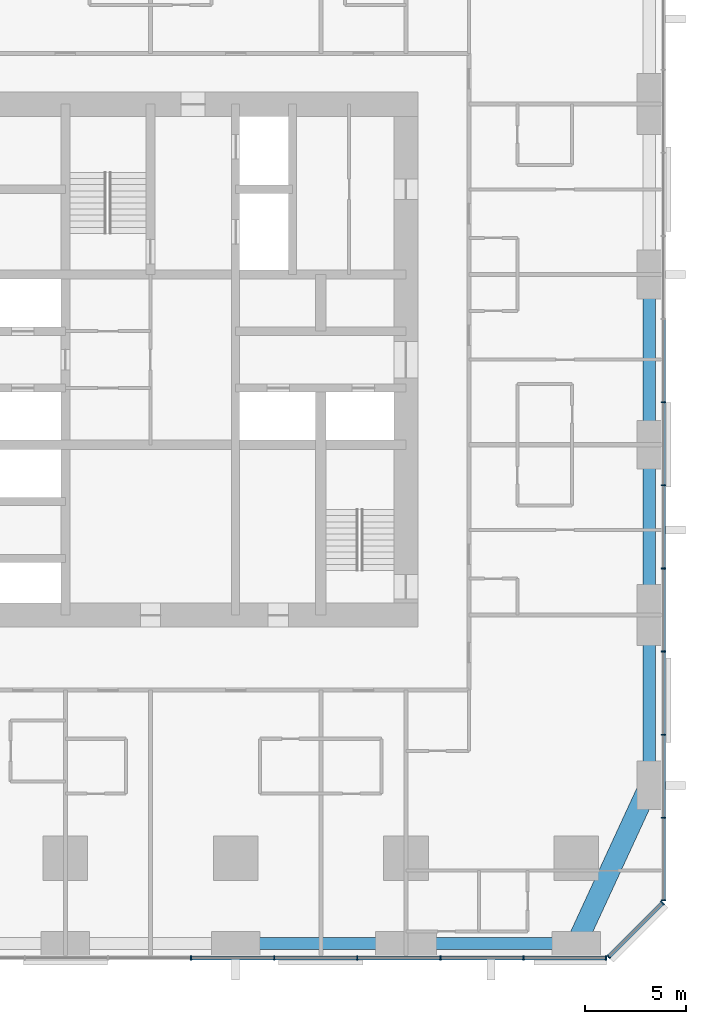
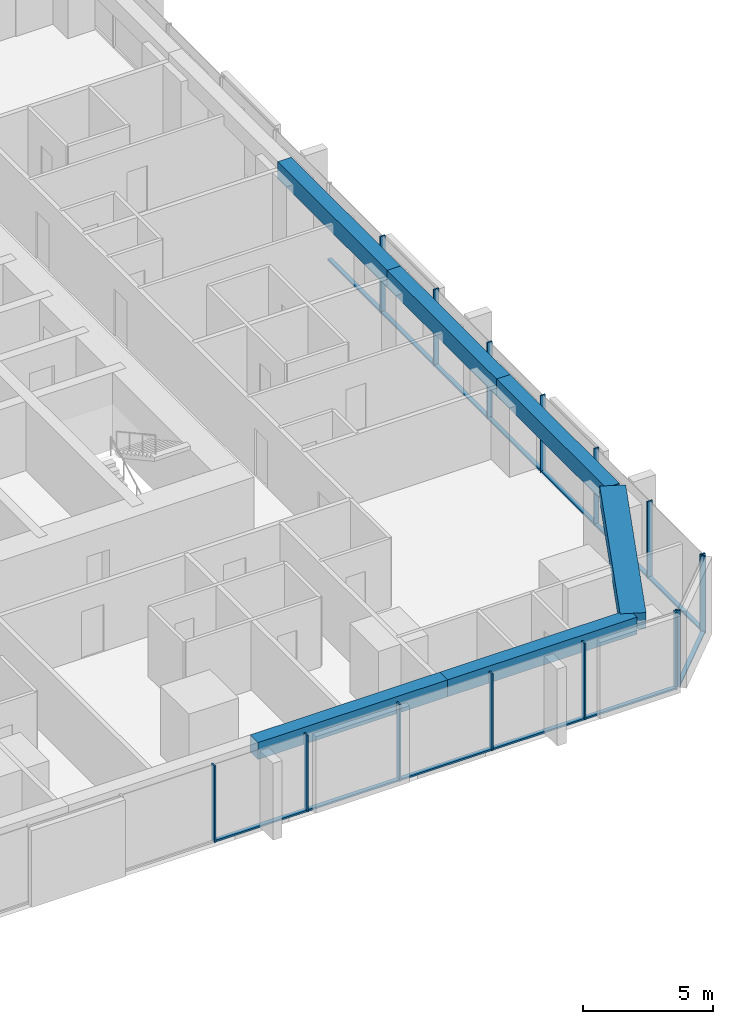
# One storey, part 4 of 13: 28 members, 6 beams, 3 elements without a shape of their own.
"""IFC4 building model written with IfcOpenShell, lengths in metres."""

from ifc_helpers import new_model, si_unit, direction, frame, origin, origin_2d, place, context, subcontext, project, spatial, rectangle, extrude, material, material_profile, profile_set, type_object, element, aggregate, save


model = new_model("IFC4")

# Units and contexts
model_context = context("Model", 3, precision=1e-05, world=origin(), true_north=direction((0.0, 1.0)))
body_context = subcontext(model_context, "Body", "Model", "MODEL_VIEW")
ifc_project = project(units=[si_unit("LENGTHUNIT", "METRE"), si_unit("AREAUNIT", "SQUARE_METRE"), si_unit("VOLUMEUNIT", "CUBIC_METRE"), si_unit("PLANEANGLEUNIT", "RADIAN"), si_unit("MASSUNIT", "GRAM", prefix="KILO")], contexts=[model_context])

# Site, building, storey
site_placement = place(None, origin())
site = spatial("IfcSite", under=ifc_project, at=site_placement, CompositionType="ELEMENT")
building_placement = place(site_placement, origin())
building = spatial("IfcBuilding", under=site, at=building_placement, Name="Dunama Terrace Hotel", CompositionType="ELEMENT")
storey_placement = place(building_placement, frame((0.0, 0.0, 144.0)))
storey = spatial("IfcBuildingStorey", under=building, at=storey_placement, Name="L37", CompositionType="ELEMENT", Elevation=144.0)

# Curtain wall, members
ifc_material_1 = material(Name="Aluminium curtain wall system", Category="aluminium")
curtain_wall_type = type_object("IfcCurtainWallType", Name="Unitised fritted glass wall CW-B", PredefinedType="NOTDEFINED", material=ifc_material_1)
curtain_wall_1_placement = place(storey_placement, origin())
curtain_wall_1 = element("IfcCurtainWall", 1, at=curtain_wall_1_placement, inside=storey, type_object=curtain_wall_type, Name="Unitised fritted glass wall CW-B L37", PredefinedType="NOTDEFINED")
ifc_material_2 = material(Name="Aluminium mullion", Category="aluminium")
ifc_material_profile_1 = material_profile(ifc_material_2, rectangle(XDim=0.06494140625, YDim=0.219970703125, at=origin_2d()), Name="CWB MULLION 65X220")
ifc_profile_set_1 = profile_set([ifc_material_profile_1], Name="Aluminium mullion")
member_type_1 = type_object("IfcMemberType", Name="CWB mullion 65x220", PredefinedType="MULLION", material=ifc_profile_set_1)
member_1_placement = place(storey_placement, frame((31.39990234375, -0.110107421875, 0.0), z_axis=(0.0, 0.0, 1.0), x_axis=(1.0, 0.0, 0.0)))
member_1 = element("IfcMember", 2, at=member_1_placement, type_object=member_type_1, Name="CWB mullion", PredefinedType="MULLION", context=body_context, shape_type="SweptSolid", body=[
    extrude(rectangle(XDim=0.06494140625, YDim=0.219970703125, at=origin_2d()), origin(), (0.0, 0.0, 1.0), 3.60009765625),
])
member_2_placement = place(storey_placement, frame((35.5, -0.110107421875, 0.0), z_axis=(0.0, 0.0, 1.0), x_axis=(1.0, 0.0, 0.0)))
member_2 = element("IfcMember", 3, at=member_2_placement, type_object=member_type_1, Name="CWB mullion", PredefinedType="MULLION", context=body_context, shape_type="SweptSolid", body=[
    extrude(rectangle(XDim=0.06494140625, YDim=0.219970703125, at=origin_2d()), origin(), (0.0, 0.0, 1.0), 3.60009765625),
])
member_3_placement = place(storey_placement, frame((39.60009765625, -0.110107421875, 0.0), z_axis=(0.0, 0.0, 1.0), x_axis=(1.0, 0.0, 0.0)))
member_3 = element("IfcMember", 4, at=member_3_placement, type_object=member_type_1, Name="CWB mullion", PredefinedType="MULLION", context=body_context, shape_type="SweptSolid", body=[
    extrude(rectangle(XDim=0.06494140625, YDim=0.219970703125, at=origin_2d()), origin(), (0.0, 0.0, 1.0), 3.60009765625),
])
member_4_placement = place(storey_placement, frame((43.699951171875, -0.110107421875, 0.0), z_axis=(0.0, 0.0, 1.0), x_axis=(1.0, 0.0, 0.0)))
member_4 = element("IfcMember", 5, at=member_4_placement, type_object=member_type_1, Name="CWB mullion", PredefinedType="MULLION", context=body_context, shape_type="SweptSolid", body=[
    extrude(rectangle(XDim=0.06494140625, YDim=0.219970703125, at=origin_2d()), origin(), (0.0, 0.0, 1.0), 3.60009765625),
])
member_5_placement = place(storey_placement, frame((47.800048828125, -0.110107421875, 0.0), z_axis=(0.0, 0.0, 1.0), x_axis=(1.0, 0.0, 0.0)))
member_5 = element("IfcMember", 6, at=member_5_placement, type_object=member_type_1, Name="CWB mullion", PredefinedType="MULLION", context=body_context, shape_type="SweptSolid", body=[
    extrude(rectangle(XDim=0.06494140625, YDim=0.219970703125, at=origin_2d()), origin(), (0.0, 0.0, 1.0), 3.60009765625),
])
member_6_placement = place(storey_placement, frame((51.866943359375, -0.110107421875, 0.0), z_axis=(0.0, 0.0, 1.0), x_axis=(1.0, 0.0, 0.0)))
member_6 = element("IfcMember", 7, at=member_6_placement, type_object=member_type_1, Name="CWB mullion", PredefinedType="MULLION", context=body_context, shape_type="SweptSolid", body=[
    extrude(rectangle(XDim=0.06494140625, YDim=0.219970703125, at=origin_2d()), origin(), (0.0, 0.0, 1.0), 3.60009765625),
])

curtain_wall_2_placement = place(storey_placement, origin())
curtain_wall_2 = element("IfcCurtainWall", 8, at=curtain_wall_2_placement, inside=storey, type_object=curtain_wall_type, Name="Unitised fritted glass wall CW-B L37", PredefinedType="NOTDEFINED")
member_7_placement = place(storey_placement, frame((52.0009765625, -0.054931640625, 0.0), z_axis=(0.0, 0.0, 1.0), x_axis=(0.707106781187, 0.707106781187, 0.0)))
member_7 = element("IfcMember", 9, at=member_7_placement, type_object=member_type_1, Name="CWB mullion", PredefinedType="MULLION", context=body_context, shape_type="SweptSolid", body=[
    extrude(rectangle(XDim=0.06494140625, YDim=0.219970703125, at=origin_2d()), origin(), (0.0, 0.0, 1.0), 3.60009765625),
])
member_8_placement = place(storey_placement, frame((54.655029296875, 2.59912109375, 0.0), z_axis=(0.0, 0.0, 1.0), x_axis=(0.707106781187, 0.707106781187, 0.0)))
member_8 = element("IfcMember", 10, at=member_8_placement, type_object=member_type_1, Name="CWB mullion", PredefinedType="MULLION", context=body_context, shape_type="SweptSolid", body=[
    extrude(rectangle(XDim=0.06494140625, YDim=0.219970703125, at=origin_2d()), origin(), (0.0, 0.0, 1.0), 3.60009765625),
])

curtain_wall_3_placement = place(storey_placement, origin())
curtain_wall_3 = element("IfcCurtainWall", 11, at=curtain_wall_3_placement, inside=storey, type_object=curtain_wall_type, Name="Unitised fritted glass wall CW-B L37", PredefinedType="NOTDEFINED")
member_9_placement = place(storey_placement, frame((54.7099609375, 2.73291015625, 0.0), z_axis=(0.0, 0.0, 1.0), x_axis=(0.0, 1.0, 0.0)))
member_9 = element("IfcMember", 12, at=member_9_placement, type_object=member_type_1, Name="CWB mullion", PredefinedType="MULLION", context=body_context, shape_type="SweptSolid", body=[
    extrude(rectangle(XDim=0.06494140625, YDim=0.219970703125, at=origin_2d()), origin(), (0.0, 0.0, 1.0), 3.60009765625),
])
member_10_placement = place(storey_placement, frame((54.7099609375, 6.800048828125, 0.0), z_axis=(0.0, 0.0, 1.0), x_axis=(0.0, 1.0, 0.0)))
member_10 = element("IfcMember", 13, at=member_10_placement, type_object=member_type_1, Name="CWB mullion", PredefinedType="MULLION", context=body_context, shape_type="SweptSolid", body=[
    extrude(rectangle(XDim=0.06494140625, YDim=0.219970703125, at=origin_2d()), origin(), (0.0, 0.0, 1.0), 3.60009765625),
])
member_11_placement = place(storey_placement, frame((54.7099609375, 10.89990234375, 0.0), z_axis=(0.0, 0.0, 1.0), x_axis=(0.0, 1.0, 0.0)))
member_11 = element("IfcMember", 14, at=member_11_placement, type_object=member_type_1, Name="CWB mullion", PredefinedType="MULLION", context=body_context, shape_type="SweptSolid", body=[
    extrude(rectangle(XDim=0.06494140625, YDim=0.219970703125, at=origin_2d()), origin(), (0.0, 0.0, 1.0), 3.60009765625),
])
member_12_placement = place(storey_placement, frame((54.7099609375, 15.0, 0.0), z_axis=(0.0, 0.0, 1.0), x_axis=(0.0, 1.0, 0.0)))
member_12 = element("IfcMember", 15, at=member_12_placement, type_object=member_type_1, Name="CWB mullion", PredefinedType="MULLION", context=body_context, shape_type="SweptSolid", body=[
    extrude(rectangle(XDim=0.06494140625, YDim=0.219970703125, at=origin_2d()), origin(), (0.0, 0.0, 1.0), 3.60009765625),
])
member_13_placement = place(storey_placement, frame((54.7099609375, 19.10009765625, 0.0), z_axis=(0.0, 0.0, 1.0), x_axis=(0.0, 1.0, 0.0)))
member_13 = element("IfcMember", 16, at=member_13_placement, type_object=member_type_1, Name="CWB mullion", PredefinedType="MULLION", context=body_context, shape_type="SweptSolid", body=[
    extrude(rectangle(XDim=0.06494140625, YDim=0.219970703125, at=origin_2d()), origin(), (0.0, 0.0, 1.0), 3.60009765625),
])
member_14_placement = place(storey_placement, frame((54.7099609375, 23.199951171875, 0.0), z_axis=(0.0, 0.0, 1.0), x_axis=(0.0, 1.0, 0.0)))
member_14 = element("IfcMember", 17, at=member_14_placement, type_object=member_type_1, Name="CWB mullion", PredefinedType="MULLION", context=body_context, shape_type="SweptSolid", body=[
    extrude(rectangle(XDim=0.06494140625, YDim=0.219970703125, at=origin_2d()), origin(), (0.0, 0.0, 1.0), 3.60009765625),
])
member_15_placement = place(storey_placement, frame((54.7099609375, 27.300048828125, 0.0), z_axis=(0.0, 0.0, 1.0), x_axis=(0.0, 1.0, 0.0)))
member_15 = element("IfcMember", 18, at=member_15_placement, type_object=member_type_1, Name="CWB mullion", PredefinedType="MULLION", context=body_context, shape_type="SweptSolid", body=[
    extrude(rectangle(XDim=0.06494140625, YDim=0.219970703125, at=origin_2d()), origin(), (0.0, 0.0, 1.0), 3.60009765625),
])

# Member
ifc_material_3 = material(Name="Aluminium transom", Category="aluminium")
ifc_material_profile_2 = material_profile(ifc_material_3, rectangle(XDim=0.179931640625, YDim=0.080078125, at=origin_2d()), Name="CWB TRANSOM 180X80")
ifc_profile_set_2 = profile_set([ifc_material_profile_2], Name="Aluminium transom")
member_type_2 = type_object("IfcMemberType", Name="CWB transom 180x80", PredefinedType="USERDEFINED", material=ifc_profile_set_2)
member_16_placement = place(storey_placement, frame((31.431884765625, -0.110107421875, 0.0400390625), z_axis=(1.0, 0.0, 0.0), x_axis=(0.0, 1.0, 0.0)))
member_16 = element("IfcMember", 19, at=member_16_placement, type_object=member_type_2, Name="CWB transom", ObjectType="TRANSOM", PredefinedType="USERDEFINED", context=body_context, shape_type="SweptSolid", body=[
    extrude(rectangle(XDim=0.179931640625, YDim=0.080078125, at=origin_2d()), origin(), (0.0, 0.0, 1.0), 4.0361328125),
])

member_17_placement = place(storey_placement, frame((35.531982421875, -0.110107421875, 0.0400390625), z_axis=(1.0, 0.0, 0.0), x_axis=(0.0, 1.0, 0.0)))
member_17 = element("IfcMember", 20, at=member_17_placement, type_object=member_type_2, Name="CWB transom", ObjectType="TRANSOM", PredefinedType="USERDEFINED", context=body_context, shape_type="SweptSolid", body=[
    extrude(rectangle(XDim=0.179931640625, YDim=0.080078125, at=origin_2d()), origin(), (0.0, 0.0, 1.0), 4.0361328125),
])

member_18_placement = place(storey_placement, frame((39.633056640625, -0.110107421875, 0.0400390625), z_axis=(1.0, 0.0, 0.0), x_axis=(0.0, 1.0, 0.0)))
member_18 = element("IfcMember", 21, at=member_18_placement, type_object=member_type_2, Name="CWB transom", ObjectType="TRANSOM", PredefinedType="USERDEFINED", context=body_context, shape_type="SweptSolid", body=[
    extrude(rectangle(XDim=0.179931640625, YDim=0.080078125, at=origin_2d()), origin(), (0.0, 0.0, 1.0), 4.034912109375),
])

member_19_placement = place(storey_placement, frame((43.73291015625, -0.110107421875, 0.0400390625), z_axis=(1.0, 0.0, 0.0), x_axis=(0.0, 1.0, 0.0)))
member_19 = element("IfcMember", 22, at=member_19_placement, type_object=member_type_2, Name="CWB transom", ObjectType="TRANSOM", PredefinedType="USERDEFINED", context=body_context, shape_type="SweptSolid", body=[
    extrude(rectangle(XDim=0.179931640625, YDim=0.080078125, at=origin_2d()), origin(), (0.0, 0.0, 1.0), 4.0341796875),
])

member_20_placement = place(storey_placement, frame((47.83203125, -0.110107421875, 0.0400390625), z_axis=(1.0, 0.0, 0.0), x_axis=(0.0, 1.0, 0.0)))
member_20 = element("IfcMember", 23, at=member_20_placement, type_object=member_type_2, Name="CWB transom", ObjectType="TRANSOM", PredefinedType="USERDEFINED", context=body_context, shape_type="SweptSolid", body=[
    extrude(rectangle(XDim=0.179931640625, YDim=0.080078125, at=origin_2d()), origin(), (0.0, 0.0, 1.0), 4.0029296875),
])

aggregate(curtain_wall_1, [member_1, member_2, member_3, member_4, member_5, member_6, member_16, member_17, member_18, member_19, member_20])

member_21_placement = place(storey_placement, frame((52.02392578125, -0.031982421875, 0.0400390625), z_axis=(0.707139876915, 0.707073683909, 0.0), x_axis=(-0.707073683909, 0.707139876915, 0.0)))
member_21 = element("IfcMember", 24, at=member_21_placement, type_object=member_type_2, Name="CWB transom", ObjectType="TRANSOM", PredefinedType="USERDEFINED", context=body_context, shape_type="SweptSolid", body=[
    extrude(rectangle(XDim=0.179931640625, YDim=0.080078125, at=origin_2d()), origin(), (0.0, 0.0, 1.0), 3.688232421875),
])

aggregate(curtain_wall_2, [member_7, member_8, member_21])

member_22_placement = place(storey_placement, frame((54.7099609375, 2.764892578125, 0.0400390625), z_axis=(0.0, 1.0, 0.0), x_axis=(-1.0, 0.0, 0.0)))
member_22 = element("IfcMember", 25, at=member_22_placement, type_object=member_type_2, Name="CWB transom", ObjectType="TRANSOM", PredefinedType="USERDEFINED", context=body_context, shape_type="SweptSolid", body=[
    extrude(rectangle(XDim=0.179931640625, YDim=0.080078125, at=origin_2d()), origin(), (0.0, 0.0, 1.0), 4.003173828125),
])

member_23_placement = place(storey_placement, frame((54.7099609375, 6.83203125, 0.0400390625), z_axis=(0.0, 1.0, 0.0), x_axis=(-1.0, 0.0, 0.0)))
member_23 = element("IfcMember", 26, at=member_23_placement, type_object=member_type_2, Name="CWB transom", ObjectType="TRANSOM", PredefinedType="USERDEFINED", context=body_context, shape_type="SweptSolid", body=[
    extrude(rectangle(XDim=0.179931640625, YDim=0.080078125, at=origin_2d()), origin(), (0.0, 0.0, 1.0), 4.034912109375),
])

member_24_placement = place(storey_placement, frame((54.7099609375, 10.93310546875, 0.0400390625), z_axis=(0.0, 1.0, 0.0), x_axis=(-1.0, 0.0, 0.0)))
member_24 = element("IfcMember", 27, at=member_24_placement, type_object=member_type_2, Name="CWB transom", ObjectType="TRANSOM", PredefinedType="USERDEFINED", context=body_context, shape_type="SweptSolid", body=[
    extrude(rectangle(XDim=0.179931640625, YDim=0.080078125, at=origin_2d()), origin(), (0.0, 0.0, 1.0), 4.033935546875),
])

member_25_placement = place(storey_placement, frame((54.7099609375, 15.031982421875, 0.0400390625), z_axis=(0.0, 1.0, 0.0), x_axis=(-1.0, 0.0, 0.0)))
member_25 = element("IfcMember", 28, at=member_25_placement, type_object=member_type_2, Name="CWB transom", ObjectType="TRANSOM", PredefinedType="USERDEFINED", context=body_context, shape_type="SweptSolid", body=[
    extrude(rectangle(XDim=0.179931640625, YDim=0.080078125, at=origin_2d()), origin(), (0.0, 0.0, 1.0), 4.034912109375),
])

member_26_placement = place(storey_placement, frame((54.7099609375, 19.132080078125, 0.0400390625), z_axis=(0.0, 1.0, 0.0), x_axis=(-1.0, 0.0, 0.0)))
member_26 = element("IfcMember", 29, at=member_26_placement, type_object=member_type_2, Name="CWB transom", ObjectType="TRANSOM", PredefinedType="USERDEFINED", context=body_context, shape_type="SweptSolid", body=[
    extrude(rectangle(XDim=0.179931640625, YDim=0.080078125, at=origin_2d()), origin(), (0.0, 0.0, 1.0), 4.035888671875),
])

member_27_placement = place(storey_placement, frame((54.7099609375, 23.23193359375, 0.0400390625), z_axis=(0.0, 1.0, 0.0), x_axis=(-1.0, 0.0, 0.0)))
member_27 = element("IfcMember", 30, at=member_27_placement, type_object=member_type_2, Name="CWB transom", ObjectType="TRANSOM", PredefinedType="USERDEFINED", context=body_context, shape_type="SweptSolid", body=[
    extrude(rectangle(XDim=0.179931640625, YDim=0.080078125, at=origin_2d()), origin(), (0.0, 0.0, 1.0), 4.03515625),
])

member_28_placement = place(storey_placement, frame((54.7099609375, 27.33203125, 0.0400390625), z_axis=(0.0, 1.0, 0.0), x_axis=(-1.0, 0.0, 0.0)))
member_28 = element("IfcMember", 31, at=member_28_placement, type_object=member_type_2, Name="CWB transom", ObjectType="TRANSOM", PredefinedType="USERDEFINED", context=body_context, shape_type="SweptSolid", body=[
    extrude(rectangle(XDim=0.179931640625, YDim=0.080078125, at=origin_2d()), origin(), (0.0, 0.0, 1.0), 4.034912109375),
])

aggregate(curtain_wall_3, [member_9, member_10, member_11, member_12, member_13, member_14, member_15, member_22, member_23, member_24, member_25, member_26, member_27, member_28])

# Beams
ifc_material_4 = material(Name="Concrete C50/60", Category="concrete")
ifc_material_profile_3 = material_profile(ifc_material_4, rectangle(XDim=1.0, YDim=0.75, at=origin_2d()), Name="RC 1000x750")
ifc_profile_set_3 = profile_set([ifc_material_profile_3], Name="Concrete C50/60")
beam_type_1 = type_object("IfcBeamType", Name="Edge beam RC 1000x750", PredefinedType="SPANDREL", material=ifc_profile_set_3)
beam_1_placement = place(storey_placement, frame((50.39990234375, 0.60009765625, 3.22509765625), z_axis=(0.419076199598, 0.907951066374, 0.0), x_axis=(-0.907951066374, 0.419076199598, 0.0)))
element("IfcBeam", 32, at=beam_1_placement, inside=storey, type_object=beam_type_1, Name="Corner edge beam under L38", PredefinedType="SPANDREL", context=body_context, shape_type="SweptSolid", body=[
    extrude(rectangle(XDim=1.0, YDim=0.75, at=origin_2d()), origin(), (0.0, 0.0, 1.0), 8.590576171875),
])
ifc_material_5 = material(Name="Concrete C40/50", Category="concrete")
ifc_material_profile_4 = material_profile(ifc_material_5, rectangle(XDim=0.60009765625, YDim=0.800048828125, at=origin_2d()), Name="RC 600x800")
ifc_profile_set_4 = profile_set([ifc_material_profile_4], Name="Concrete C40/50")
beam_type_2 = type_object("IfcBeamType", Name="Edge beam RC 600x800", PredefinedType="SPANDREL", material=ifc_profile_set_4)
beam_2_placement = place(storey_placement, frame((54.0, 8.39990234375, 3.199951171875), z_axis=(0.0, 1.0, 0.0), x_axis=(-1.0, 0.0, 0.0)))
element("IfcBeam", 33, at=beam_2_placement, inside=storey, type_object=beam_type_2, Name="Edge beam under L38", PredefinedType="SPANDREL", context=body_context, shape_type="SweptSolid", body=[
    extrude(rectangle(XDim=0.60009765625, YDim=0.800048828125, at=origin_2d()), origin(), (0.0, 0.0, 1.0), 8.400146484375),
])
beam_3_placement = place(storey_placement, frame((54.0, 16.800048828125, 3.199951171875), z_axis=(0.0, 1.0, 0.0), x_axis=(-1.0, 0.0, 0.0)))
element("IfcBeam", 34, at=beam_3_placement, inside=storey, type_object=beam_type_2, Name="Edge beam under L38", PredefinedType="SPANDREL", context=body_context, shape_type="SweptSolid", body=[
    extrude(rectangle(XDim=0.60009765625, YDim=0.800048828125, at=origin_2d()), origin(), (0.0, 0.0, 1.0), 8.39990234375),
])
beam_4_placement = place(storey_placement, frame((54.0, 25.199951171875, 3.199951171875), z_axis=(0.0, 1.0, 0.0), x_axis=(-1.0, 0.0, 0.0)))
element("IfcBeam", 35, at=beam_4_placement, inside=storey, type_object=beam_type_2, Name="Edge beam under L38", PredefinedType="SPANDREL", context=body_context, shape_type="SweptSolid", body=[
    extrude(rectangle(XDim=0.60009765625, YDim=0.800048828125, at=origin_2d()), origin(), (0.0, 0.0, 1.0), 8.400146484375),
])
for number, where, z_axis, x_axis, name in (
    (36, (33.60009765625, 0.60009765625, 3.199951171875), (1.0, 0.0, 0.0), (0.0, 1.0, 0.0), "Edge beam under L38"),
    (37, (42.0, 0.60009765625, 3.199951171875), (1.0, 0.0, 0.0), (0.0, 1.0, 0.0), "Edge beam under L38"),
):
    element("IfcBeam", number, at=place(storey_placement, frame(where, z_axis=z_axis, x_axis=x_axis)), inside=storey, type_object=beam_type_2, Name=name, PredefinedType="SPANDREL", context=body_context, shape_type="SweptSolid", body=[
        extrude(rectangle(XDim=0.60009765625, YDim=0.800048828125, at=origin_2d()), origin(), (0.0, 0.0, 1.0), 8.39990234375),
    ])

save(model, "model.ifc")
